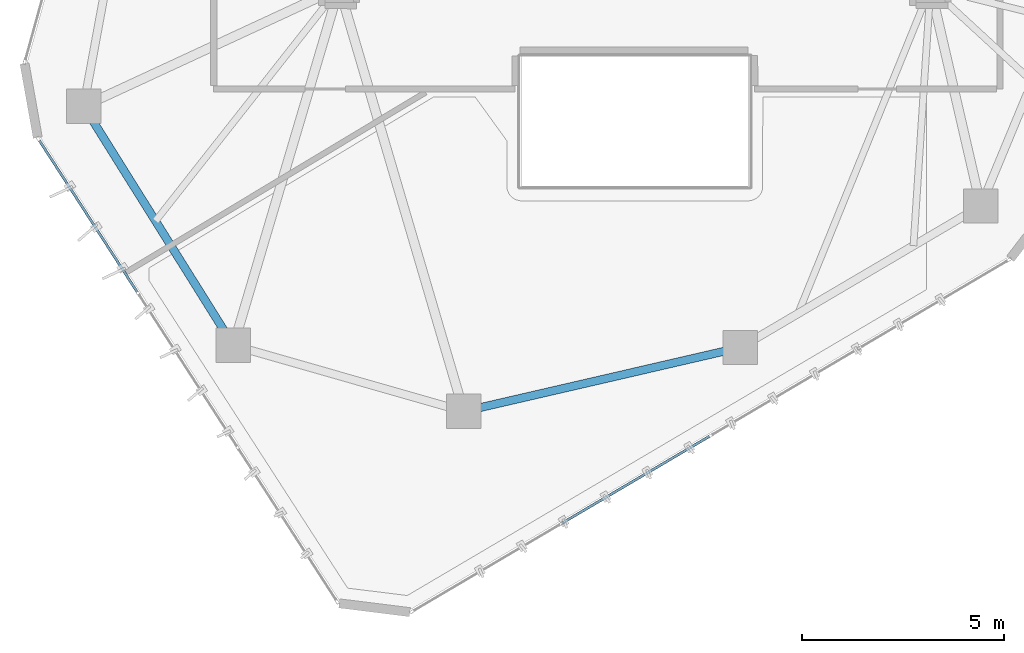
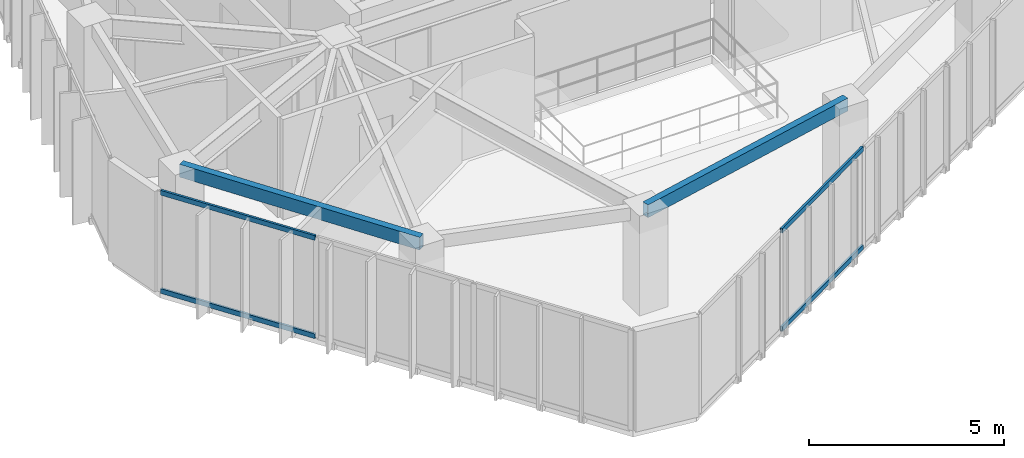
# One storey, part 3 of 20: 4 members, 2 beams, 2 elements without a shape of their own.
"""IFC4 building model written with IfcOpenShell, lengths in metres."""

from ifc_helpers import new_model, si_unit, direction, frame, origin, origin_2d, place, context, subcontext, project, spatial, hollow_rectangle, extrude, source, transform, mapped, material, layer, layer_set, material_profile, profile_set, type_object, type_shapes, element, aggregate, save


model = new_model("IFC4")

# Units and contexts
model_context = context("Model", 3, precision=1e-05, world=origin(), true_north=direction((0.0, 1.0)))
body_context = subcontext(model_context, "Body", "Model", "MODEL_VIEW")
ifc_project = project(units=[si_unit("LENGTHUNIT", "METRE"), si_unit("AREAUNIT", "SQUARE_METRE"), si_unit("VOLUMEUNIT", "CUBIC_METRE"), si_unit("PLANEANGLEUNIT", "RADIAN"), si_unit("MASSUNIT", "GRAM", prefix="KILO")], contexts=[model_context])

# Site, building, storey
site_placement = place(None, origin())
site = spatial("IfcSite", under=ifc_project, at=site_placement, CompositionType="ELEMENT")
building_placement = place(site_placement, origin())
building = spatial("IfcBuilding", under=site, at=building_placement, Name="Talar Marvaseh", CompositionType="ELEMENT")
storey_placement = place(building_placement, frame((0.0, 0.0, 254.39990234375)))
storey = spatial("IfcBuildingStorey", under=building, at=storey_placement, Name="L67", CompositionType="ELEMENT", Elevation=254.39990234375)

# Beams
ifc_material_1 = material(Name="Steel S355", Category="steel")
ifc_material_profile_1 = material_profile(ifc_material_1, hollow_rectangle(XDim=0.199951171875, YDim=0.39990234375, WallThickness=0.013916015625, at=origin_2d()), Name="RHS400x200x14")
ifc_profile_set_1 = profile_set([ifc_material_profile_1], Name="Steel S355")
beam_type = type_object("IfcBeamType", Name="Zone 3 Perimeter Spandrel Beam RHS400x200x14", PredefinedType="SPANDREL", material=ifc_profile_set_1)
beam_1_placement = place(storey_placement, frame((28.60498046875, 16.616943359375, 2.940185546875), z_axis=(-0.974361245946, -0.22498924952, 0.0), x_axis=(0.22498924952, -0.974361245946, 0.0)))
element("IfcBeam", 1, at=beam_1_placement, inside=storey, type_object=beam_type, Name="L67 Zone 3 Perimeter Spandrel Beam RHS400x200x14", PredefinedType="SPANDREL", context=body_context, shape_type="SweptSolid", body=[
    extrude(hollow_rectangle(XDim=0.199951171875, YDim=0.39990234375, WallThickness=0.013916015625, at=origin_2d()), origin(), (0.0, 0.0, 1.0), 7.0087890625),
])
beam_2_placement = place(storey_placement, frame((16.0869140625, 16.66796875, 2.940185546875), z_axis=(-0.530505706813, 0.847681364098, 0.0), x_axis=(-0.847681364098, -0.530505706813, 0.0)))
element("IfcBeam", 2, at=beam_2_placement, inside=storey, type_object=beam_type, Name="L67 Zone 3 Perimeter Spandrel Beam RHS400x200x14", PredefinedType="SPANDREL", context=body_context, shape_type="SweptSolid", body=[
    extrude(hollow_rectangle(XDim=0.199951171875, YDim=0.39990234375, WallThickness=0.013916015625, at=origin_2d()), origin(), (0.0, 0.0, 1.0), 6.970703125),
])

# Curtain wall, members
ifc_material_2 = material(Name="Architectural Aluminium", Category="aluminium")
ifc_layer = layer(ifc_material_2, 0.179931640625)
ifc_layer_set = layer_set([ifc_layer], Name="Architectural Aluminium")
curtain_wall_type = type_object("IfcCurtainWallType", Name="Unitised High-Wind Sky Curtain Wall Z4", PredefinedType="NOTDEFINED", material=ifc_layer_set)
curtain_wall_1_placement = place(storey_placement, origin())
curtain_wall_1 = element("IfcCurtainWall", 3, at=curtain_wall_1_placement, inside=storey, type_object=curtain_wall_type, Name="L67 Unitised High-Wind Sky Curtain Wall Z4", PredefinedType="NOTDEFINED")
ifc_material_profile_2 = material_profile(ifc_material_2, hollow_rectangle(XDim=0.06494140625, YDim=0.14990234375, WallThickness=0.00390625, at=origin_2d()), Name="RHS150x65x4")
ifc_profile_set_2 = profile_set([ifc_material_profile_2], Name="Architectural Aluminium")
member_type = type_object("IfcMemberType", Name="Unitised Curtain Wall Slim Transom RHS150x65x4", PredefinedType="USERDEFINED", material=ifc_profile_set_2)
shared_shape_1 = source(origin(), body_context, "Body", "SweptSolid", [
    extrude(hollow_rectangle(XDim=0.06494140625, YDim=0.14990234375, WallThickness=0.00390625, at=origin_2d()), origin(), (0.0, 0.0, 1.0), 4.447509765625),
])
member_1_placement = place(storey_placement, frame((13.710205078125, 17.98876953125, 0.03271484375), z_axis=(-0.54241567084, 0.840110254685, 0.0), x_axis=(-0.840110254685, -0.54241567084, 0.0)))
member_1 = element("IfcMember", 4, at=member_1_placement, type_object=member_type, Name="CW-Z4 transom 3.1", ObjectType="TRANSOM", PredefinedType="USERDEFINED", context=body_context, shape_type="MappedRepresentation", body=[
    mapped(shared_shape_1, transform((0.0, 0.0, 0.0), x_axis=(1.0, 0.0, 0.0), y_axis=(0.0, 1.0, 0.0), z_axis=(0.0, 0.0, 1.0), scale=1.0)),
])
member_2_placement = place(storey_placement, frame((13.710205078125, 17.98876953125, 3.107666015625), z_axis=(-0.54241567084, 0.840110254685, 0.0), x_axis=(-0.840110254685, -0.54241567084, 0.0)))
member_2 = element("IfcMember", 5, at=member_2_placement, type_object=member_type, Name="CW-Z4 transom 3.2", ObjectType="TRANSOM", PredefinedType="USERDEFINED", context=body_context, shape_type="MappedRepresentation", body=[
    mapped(shared_shape_1, transform((0.0, 0.0, 0.0), x_axis=(1.0, 0.0, 0.0), y_axis=(0.0, 1.0, 0.0), z_axis=(0.0, 0.0, 1.0), scale=1.0)),
])
aggregate(curtain_wall_1, [member_1, member_2])

curtain_wall_2_placement = place(storey_placement, origin())
curtain_wall_2 = element("IfcCurtainWall", 6, at=curtain_wall_2_placement, inside=storey, type_object=curtain_wall_type, Name="L67 Unitised High-Wind Sky Curtain Wall Z4", PredefinedType="NOTDEFINED")
shared_shape_2 = source(origin(), body_context, "Body", "SweptSolid", [
    extrude(hollow_rectangle(XDim=0.06494140625, YDim=0.14990234375, WallThickness=0.00390625, at=origin_2d()), origin(), (0.0, 0.0, 1.0), 4.220947265625),
])
type_shapes(member_type, [shared_shape_1, shared_shape_2])
member_3_placement = place(storey_placement, frame((27.841064453125, 14.424560546875, 0.03271484375), z_axis=(-0.861563758866, -0.507649376448, 0.0), x_axis=(0.507649376448, -0.861563758866, 0.0)))
member_3 = element("IfcMember", 7, at=member_3_placement, type_object=member_type, Name="CW-Z4 transom 3.1", ObjectType="TRANSOM", PredefinedType="USERDEFINED", context=body_context, shape_type="MappedRepresentation", body=[
    mapped(shared_shape_2, transform((0.0, 0.0, 0.0), x_axis=(1.0, 0.0, 0.0), y_axis=(0.0, 1.0, 0.0), z_axis=(0.0, 0.0, 1.0), scale=1.0)),
])
member_4_placement = place(storey_placement, frame((27.841064453125, 14.424560546875, 3.107666015625), z_axis=(-0.861563758866, -0.507649376448, 0.0), x_axis=(0.507649376448, -0.861563758866, 0.0)))
member_4 = element("IfcMember", 8, at=member_4_placement, type_object=member_type, Name="CW-Z4 transom 3.2", ObjectType="TRANSOM", PredefinedType="USERDEFINED", context=body_context, shape_type="MappedRepresentation", body=[
    mapped(shared_shape_2, transform((0.0, 0.0, 0.0), x_axis=(1.0, 0.0, 0.0), y_axis=(0.0, 1.0, 0.0), z_axis=(0.0, 0.0, 1.0), scale=1.0)),
])
aggregate(curtain_wall_2, [member_3, member_4])

save(model, "model.ifc")
